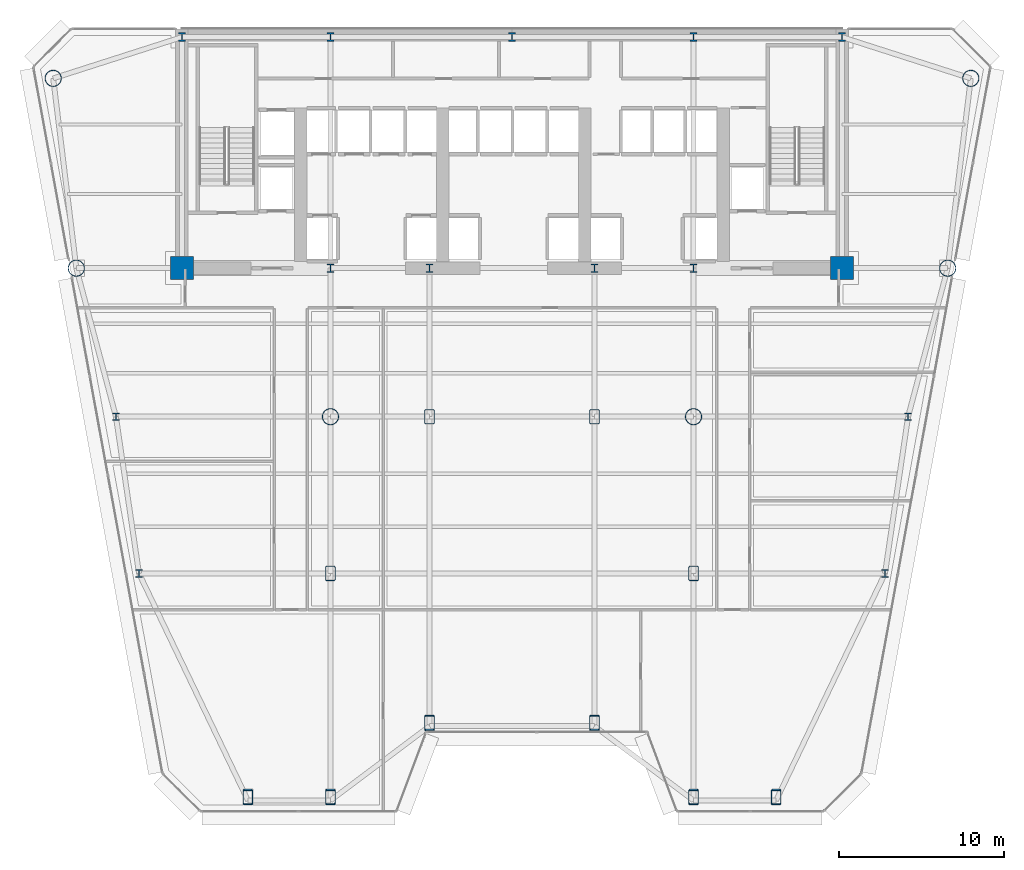
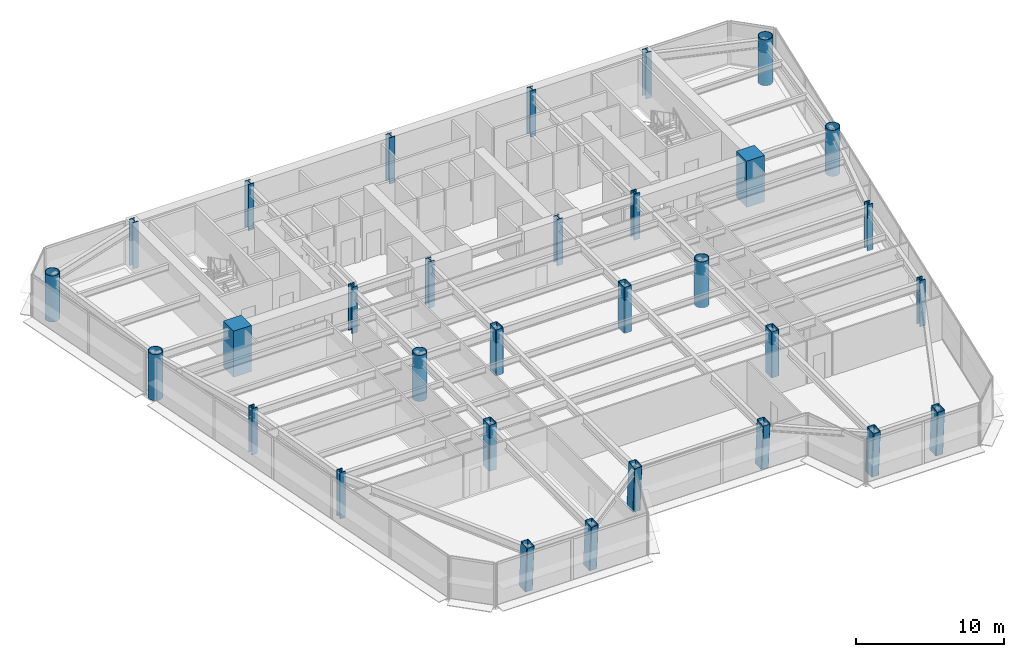
# One storey, part 1 of 14: 31 columns.
"""IFC4 building model written with IfcOpenShell, lengths in metres."""

from ifc_helpers import new_model, si_unit, direction, frame, origin, origin_2d, place, context, subcontext, project, spatial, rectangle, hollow_rectangle, hollow_circle, i_section, extrude, source, transform, mapped, material, material_profile, profile_set, type_object, element, save


model = new_model("IFC4")

# Units and contexts
model_context = context("Model", 3, precision=1e-05, world=origin(), true_north=direction((0.0, 1.0)))
body_context = subcontext(model_context, "Body", "Model", "MODEL_VIEW")
ifc_project = project(units=[si_unit("LENGTHUNIT", "METRE"), si_unit("AREAUNIT", "SQUARE_METRE"), si_unit("VOLUMEUNIT", "CUBIC_METRE"), si_unit("PLANEANGLEUNIT", "RADIAN"), si_unit("MASSUNIT", "GRAM", prefix="KILO")], contexts=[model_context])

# Site, building, storey
site_placement = place(None, origin())
site = spatial("IfcSite", under=ifc_project, at=site_placement, CompositionType="ELEMENT")
building_placement = place(site_placement, origin())
building = spatial("IfcBuilding", under=site, at=building_placement, Name="Vaeldorn Concourse Tower", CompositionType="ELEMENT")
storey_placement = place(building_placement, frame((0.0, 0.0, 88.199951171875)))
storey = spatial("IfcBuildingStorey", under=building, at=storey_placement, Name="L22", CompositionType="ELEMENT", Elevation=88.199951171875)

# Columns
ifc_material_1 = material(Name="Concrete C60/75", Category="concrete")
ifc_material_profile_1 = material_profile(ifc_material_1, rectangle(XDim=1.39990234375, YDim=1.39990234375, at=origin_2d()), Name="RC 1400x1400")
ifc_profile_set_1 = profile_set([ifc_material_profile_1], Name="Concrete C60/75")
column_type_1 = type_object("IfcColumnType", Name="COL-RC1400", PredefinedType="COLUMN", material=ifc_profile_set_1)
shared_shape_1 = source(origin(), body_context, "Body", "SweptSolid", [
    extrude(rectangle(XDim=1.39990234375, YDim=1.39990234375, at=origin_2d()), origin(), (0.0, 0.0, 1.0), 3.800048828125),
])
for number, where, z_axis, x_axis, name in (
    (1, (14.0, 36.5, 0.0), (0.0, 0.0, 1.0), (1.0, 0.0, 0.0), "Column C-FC1 L22"),
    (2, (54.0, 36.5, 0.0), (0.0, 0.0, 1.0), (1.0, 0.0, 0.0), "Column C-FC6 L22"),
):
    element("IfcColumn", number, at=place(storey_placement, frame(where, z_axis=z_axis, x_axis=x_axis)), inside=storey, type_object=column_type_1, Name=name, PredefinedType="COLUMN", context=body_context, shape_type="MappedRepresentation", body=[
        mapped(shared_shape_1, transform((0.0, 0.0, 0.0), scale=1.0)),
    ])
ifc_material_2 = material(Name="Steel S460", Category="steel")
ifc_material_profile_2 = material_profile(ifc_material_2, i_section(OverallWidth=0.44189453125, OverallDepth=0.531005859375, WebThickness=0.06494140625, FlangeThickness=0.075927734375, FilletRadius=0.014892578125, at=origin_2d()), Name="HD 400x900")
ifc_profile_set_2 = profile_set([ifc_material_profile_2], Name="Steel S460")
column_type_2 = type_object("IfcColumnType", Name="COL-HD900", PredefinedType="COLUMN", material=ifc_profile_set_2)
shared_shape_2 = source(origin(), body_context, "Body", "SweptSolid", [
    extrude(i_section(OverallWidth=0.44189453125, OverallDepth=0.531005859375, WebThickness=0.06494140625, FlangeThickness=0.075927734375, FilletRadius=0.014892578125, at=origin_2d()), origin(), (0.0, 0.0, 1.0), 3.800048828125),
])
for number, where, z_axis, x_axis, name in (
    (3, (23.0, 36.5, 0.0), (0.0, 0.0, 1.0), (1.0, 0.0, 0.0), "Column C-FC2 L22"),
    (4, (29.0, 36.5, 0.0), (0.0, 0.0, 1.0), (1.0, 0.0, 0.0), "Column C-FC3 L22"),
    (5, (39.0, 36.5, 0.0), (0.0, 0.0, 1.0), (1.0, 0.0, 0.0), "Column C-FC4 L22"),
    (6, (45.0, 36.5, 0.0), (0.0, 0.0, 1.0), (1.0, 0.0, 0.0), "Column C-FC5 L22"),
    (7, (14.0, 50.5, 0.0), (0.0, 0.0, 1.0), (1.0, 0.0, 0.0), "Column C-HC1 L22"),
    (8, (23.0, 50.5, 0.0), (0.0, 0.0, 1.0), (1.0, 0.0, 0.0), "Column C-HC2 L22"),
    (9, (34.0, 50.5, 0.0), (0.0, 0.0, 1.0), (1.0, 0.0, 0.0), "Column C-HC3 L22"),
    (10, (45.0, 50.5, 0.0), (0.0, 0.0, 1.0), (1.0, 0.0, 0.0), "Column C-HC4 L22"),
    (11, (54.0, 50.5, 0.0), (0.0, 0.0, 1.0), (1.0, 0.0, 0.0), "Column C-HC5 L22"),
):
    element("IfcColumn", number, at=place(storey_placement, frame(where, z_axis=z_axis, x_axis=x_axis)), inside=storey, type_object=column_type_2, Name=name, PredefinedType="COLUMN", context=body_context, shape_type="MappedRepresentation", body=[
        mapped(shared_shape_2, transform((0.0, 0.0, 0.0), scale=1.0)),
    ])
ifc_material_profile_3 = material_profile(ifc_material_2, hollow_circle(Radius=0.508056640625, WallThickness=0.044921875, at=origin_2d()), Name="CHS 1016x45")
ifc_profile_set_3 = profile_set([ifc_material_profile_3], Name="Steel S460")
column_type_3 = type_object("IfcColumnType", Name="COL-CHS1016", PredefinedType="COLUMN", material=ifc_profile_set_3)
shared_shape_3 = source(origin(), body_context, "Body", "SweptSolid", [
    extrude(hollow_circle(Radius=0.508056640625, WallThickness=0.044921875, at=origin_2d()), origin(), (0.0, 0.0, 1.0), 3.800048828125),
])
for number, where, z_axis, x_axis, name in (
    (12, (6.199951171875, 48.0, 0.0), (0.0, 0.0, 1.0), (1.0, 0.0, 0.0), "Column C-NW1 L22"),
    (13, (7.60009765625, 36.5, 0.0), (0.0, 0.0, 1.0), (1.0, 0.0, 0.0), "Column C-NW2 L22"),
    (14, (61.800048828125, 48.0, 0.0), (0.0, 0.0, 1.0), (1.0, 0.0, 0.0), "Column C-NE1 L22"),
    (15, (60.39990234375, 36.5, 0.0), (0.0, 0.0, 1.0), (1.0, 0.0, 0.0), "Column C-NE2 L22"),
    (16, (23.0, 27.5, 0.0), (0.0, 0.0, 1.0), (1.0, 0.0, 0.0), "Column C-TW1 L22"),
    (17, (45.0, 27.5, 0.0), (0.0, 0.0, 1.0), (1.0, 0.0, 0.0), "Column C-TW4 L22"),
):
    element("IfcColumn", number, at=place(storey_placement, frame(where, z_axis=z_axis, x_axis=x_axis)), inside=storey, type_object=column_type_3, Name=name, PredefinedType="COLUMN", context=body_context, shape_type="MappedRepresentation", body=[
        mapped(shared_shape_3, transform((0.0, 0.0, 0.0), scale=1.0)),
    ])
ifc_material_profile_4 = material_profile(ifc_material_2, i_section(OverallWidth=0.424072265625, OverallDepth=0.47412109375, WebThickness=0.047119140625, FlangeThickness=0.06494140625, FilletRadius=0.014892578125, at=origin_2d()), Name="HD 400x634")
ifc_profile_set_4 = profile_set([ifc_material_profile_4], Name="Steel S460")
column_type_4 = type_object("IfcColumnType", Name="COL-HD634F", PredefinedType="COLUMN", material=ifc_profile_set_4)
shared_shape_4 = source(origin(), body_context, "Body", "SweptSolid", [
    extrude(i_section(OverallWidth=0.424072265625, OverallDepth=0.47412109375, WebThickness=0.047119140625, FlangeThickness=0.06494140625, FilletRadius=0.014892578125, at=origin_2d()), origin(), (0.0, 0.0, 1.0), 3.800048828125),
])
for number, where, z_axis, x_axis, name in (
    (18, (10.0, 27.5, 0.0), (0.0, 0.0, 1.0), (1.0, 0.0, 0.0), "Column C-FLW1 L22"),
    (19, (11.39990234375, 18.0, 0.0), (0.0, 0.0, 1.0), (1.0, 0.0, 0.0), "Column C-FLW2 L22"),
    (20, (58.0, 27.5, 0.0), (0.0, 0.0, 1.0), (1.0, 0.0, 0.0), "Column C-FLE1 L22"),
    (21, (56.60009765625, 18.0, 0.0), (0.0, 0.0, 1.0), (1.0, 0.0, 0.0), "Column C-FLE2 L22"),
):
    element("IfcColumn", number, at=place(storey_placement, frame(where, z_axis=z_axis, x_axis=x_axis)), inside=storey, type_object=column_type_4, Name=name, PredefinedType="COLUMN", context=body_context, shape_type="MappedRepresentation", body=[
        mapped(shared_shape_4, transform((0.0, 0.0, 0.0), scale=1.0)),
    ])
ifc_material_profile_5 = material_profile(ifc_material_2, hollow_rectangle(XDim=0.60009765625, YDim=0.89990234375, WallThickness=0.0400390625, InnerFilletRadius=0.0400390625, OuterFilletRadius=0.080078125, at=origin_2d()), Name="RHS 900x600x40")
ifc_profile_set_5 = profile_set([ifc_material_profile_5], Name="Steel S460")
column_type_5 = type_object("IfcColumnType", Name="COL-RHS900", PredefinedType="COLUMN", material=ifc_profile_set_5)
shared_shape_5 = source(origin(), body_context, "Body", "SweptSolid", [
    extrude(hollow_rectangle(XDim=0.60009765625, YDim=0.89990234375, WallThickness=0.0400390625, InnerFilletRadius=0.0400390625, OuterFilletRadius=0.080078125, at=origin_2d()), origin(), (0.0, 0.0, 1.0), 3.800048828125),
])
for number, where, z_axis, x_axis, name in (
    (22, (29.0, 27.5, 0.0), (0.0, 0.0, 1.0), (1.0, 0.0, 0.0), "Column C-TW2 L22"),
    (23, (39.0, 27.5, 0.0), (0.0, 0.0, 1.0), (1.0, 0.0, 0.0), "Column C-TW3 L22"),
    (24, (23.0, 18.0, 0.0), (0.0, 0.0, 1.0), (1.0, 0.0, 0.0), "Column C-TW5 L22"),
    (25, (45.0, 18.0, 0.0), (0.0, 0.0, 1.0), (1.0, 0.0, 0.0), "Column C-TW6 L22"),
):
    element("IfcColumn", number, at=place(storey_placement, frame(where, z_axis=z_axis, x_axis=x_axis)), inside=storey, type_object=column_type_5, Name=name, PredefinedType="COLUMN", context=body_context, shape_type="MappedRepresentation", body=[
        mapped(shared_shape_5, transform((0.0, 0.0, 0.0), scale=1.0)),
    ])
shared_shape_6 = source(origin(), body_context, "Body", "SweptSolid", [
    extrude(hollow_rectangle(XDim=0.60009765625, YDim=0.89990234375, WallThickness=0.0400390625, InnerFilletRadius=0.0400390625, OuterFilletRadius=0.080078125, at=origin_2d()), origin(), (0.0, 0.0, 1.0), 3.74365234375),
])
for number, where, z_axis, x_axis, name in (
    (26, (18.0, 4.486083984375, 0.031982421875), (0.0, -0.063843869911, 0.997959899132), (1.0, 0.0, 0.0), "Column C-SF1 L22"),
    (27, (23.0, 4.486083984375, 0.031982421875), (0.0, -0.063843869911, 0.997959899132), (1.0, 0.0, 0.0), "Column C-SF2 L22"),
    (28, (29.0, 8.986083984375, 0.031982421875), (0.0, -0.063843869911, 0.997959899132), (1.0, 0.0, 0.0), "Column C-SF3 L22"),
    (29, (39.0, 8.986083984375, 0.031982421875), (0.0, -0.063843869911, 0.997959899132), (1.0, 0.0, 0.0), "Column C-SF4 L22"),
    (30, (45.0, 4.486083984375, 0.031982421875), (0.0, -0.063843869911, 0.997959899132), (1.0, 0.0, 0.0), "Column C-SF5 L22"),
    (31, (50.0, 4.486083984375, 0.031982421875), (0.0, -0.063843869911, 0.997959899132), (1.0, 0.0, 0.0), "Column C-SF6 L22"),
):
    element("IfcColumn", number, at=place(storey_placement, frame(where, z_axis=z_axis, x_axis=x_axis)), inside=storey, type_object=column_type_5, Name=name, PredefinedType="COLUMN", context=body_context, shape_type="MappedRepresentation", body=[
        mapped(shared_shape_6, transform((0.0, 0.0, 0.0), scale=1.0)),
    ])

save(model, "model.ifc")
